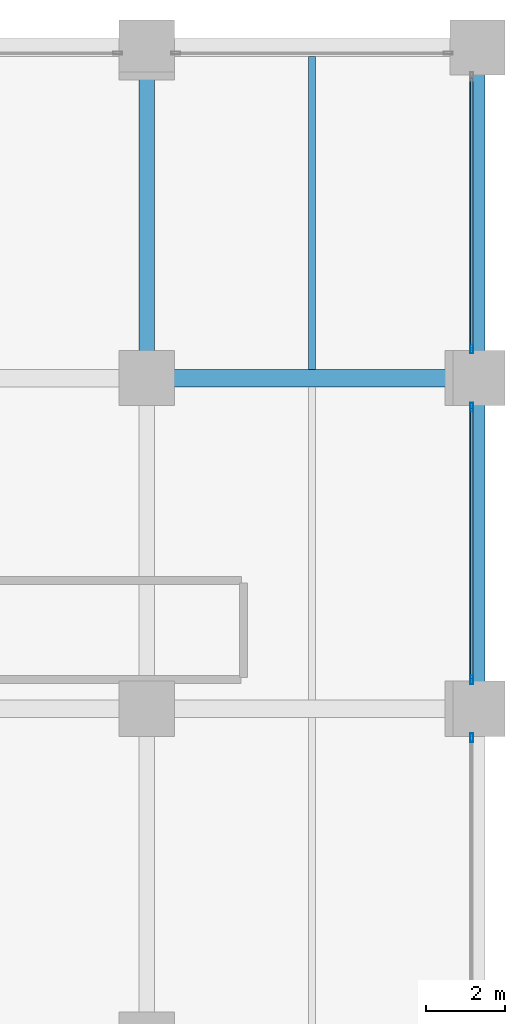
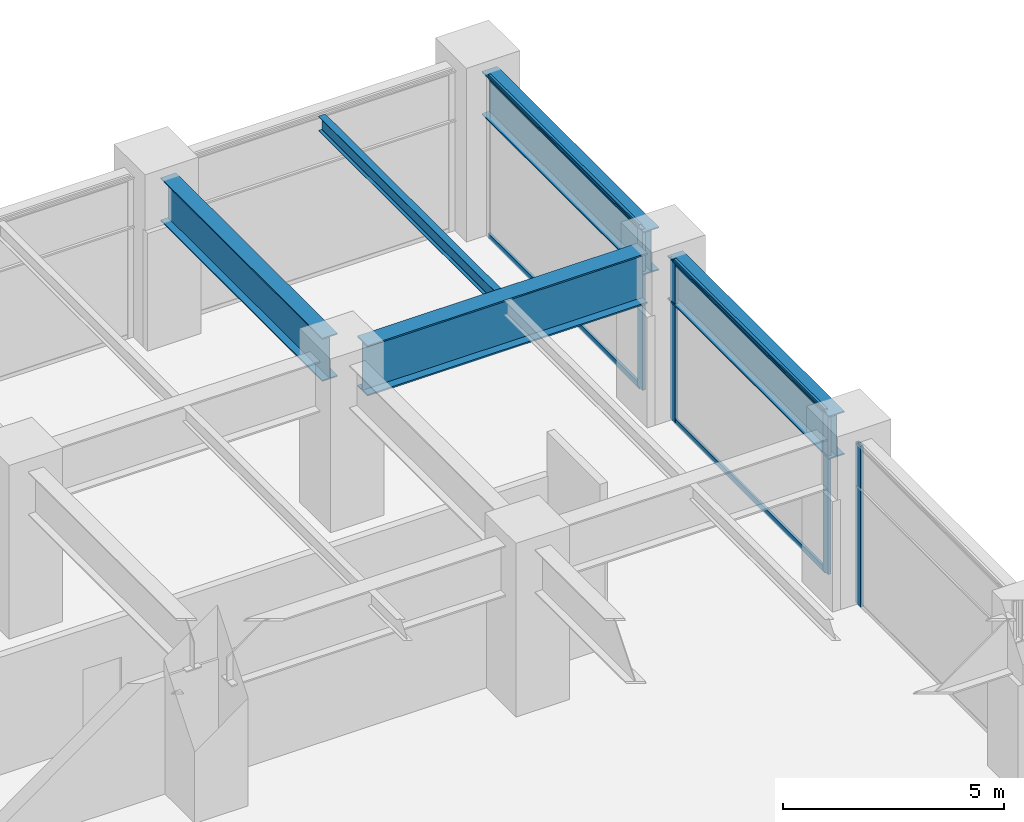
# One storey, part 15 of 24: 8 members, 5 beams, 3 elements without a shape of their own.
"""IFC4 building model written with IfcOpenShell, lengths in metres."""

from ifc_helpers import new_model, si_unit, direction, frame, origin, origin_2d, place, context, subcontext, project, spatial, hollow_rectangle, i_section, extrude, material, layer, layer_set, material_profile, profile_set, type_object, element, aggregate, save


model = new_model("IFC4")

# Units and contexts
model_context = context("Model", 3, precision=1e-05, world=origin(), true_north=direction((0.0, 1.0)))
body_context = subcontext(model_context, "Body", "Model", "MODEL_VIEW")
ifc_project = project(units=[si_unit("LENGTHUNIT", "METRE"), si_unit("AREAUNIT", "SQUARE_METRE"), si_unit("VOLUMEUNIT", "CUBIC_METRE"), si_unit("PLANEANGLEUNIT", "RADIAN"), si_unit("MASSUNIT", "GRAM", prefix="KILO")], contexts=[model_context])

# Site, building, storey
site_placement = place(None, origin())
site = spatial("IfcSite", under=ifc_project, at=site_placement, CompositionType="ELEMENT")
building_placement = place(site_placement, origin())
building = spatial("IfcBuilding", under=site, at=building_placement, Name="Nerrivon Quay Data Exchange", CompositionType="ELEMENT")
storey_placement = place(building_placement, frame((0.0, 0.0, 15.0)))
storey = spatial("IfcBuildingStorey", under=building, at=storey_placement, Name="L03", CompositionType="ELEMENT", Elevation=15.0)

# Beams
ifc_material_1 = material(Name="Steel Grade 350", Category="steel")
ifc_material_profile_1 = material_profile(ifc_material_1, i_section(OverallWidth=0.177978515625, OverallDepth=0.406005859375, WebThickness=0.0078125, FlangeThickness=0.0126953125, FilletRadius=0.011474609375, at=origin_2d()), Name="410UB59.7")
ifc_profile_set_1 = profile_set([ifc_material_profile_1], Name="Steel Grade 350")
beam_type_1 = type_object("IfcBeamType", Name="BM-J1-410UB60", PredefinedType="JOIST", material=ifc_profile_set_1)
beam_1_placement = place(storey_placement, frame((54.60009765625, 42.22509765625, 4.2470703125), z_axis=(0.0, 1.0, 0.0), x_axis=(-1.0, 0.0, 0.0)))
element("IfcBeam", 1, at=beam_1_placement, inside=storey, type_object=beam_type_1, Name="L03 Secondary Joist X=54.6 (42.0..50.4)", PredefinedType="JOIST", context=body_context, shape_type="SweptSolid", body=[
    extrude(i_section(OverallWidth=0.177978515625, OverallDepth=0.406005859375, WebThickness=0.0078125, FlangeThickness=0.0126953125, FilletRadius=0.011474609375, at=origin_2d()), origin(), (0.0, 0.0, 1.0), 7.949951171875),
])
ifc_material_profile_2 = material_profile(ifc_material_1, i_section(OverallWidth=0.449951171875, OverallDepth=1.39990234375, WebThickness=0.02001953125, FlangeThickness=0.0400390625, at=origin_2d()), Name="1400WG455")
ifc_profile_set_2 = profile_set([ifc_material_profile_2], Name="Steel Grade 350")
beam_type_2 = type_object("IfcBeamType", Name="BM-TG1-1400WG", PredefinedType="USERDEFINED", material=ifc_profile_set_2)
beam_2_placement = place(storey_placement, frame((50.93994140625, 42.0, 3.75), z_axis=(1.0, 0.0, 0.0), x_axis=(0.0, 1.0, 0.0)))
element("IfcBeam", 2, at=beam_2_placement, inside=storey, type_object=beam_type_2, Name="L03 EW Girder Y=42.0 (50.4..58.8)", ObjectType="TRANSFER", PredefinedType="USERDEFINED", context=body_context, shape_type="SweptSolid", body=[
    extrude(i_section(OverallWidth=0.449951171875, OverallDepth=1.39990234375, WebThickness=0.02001953125, FlangeThickness=0.0400390625, at=origin_2d()), origin(), (0.0, 0.0, 1.0), 7.320068359375),
])
ifc_material_profile_3 = material_profile(ifc_material_1, i_section(OverallWidth=0.39990234375, OverallDepth=1.199951171875, WebThickness=0.01611328125, FlangeThickness=0.031982421875, at=origin_2d()), Name="1200WB342")
ifc_profile_set_3 = profile_set([ifc_material_profile_3], Name="Steel Grade 350")
beam_type_3 = type_object("IfcBeamType", Name="BM-TG2-1200WB", PredefinedType="USERDEFINED", material=ifc_profile_set_3)
for number, where, z_axis, x_axis, name in (
    (3, (50.39990234375, 42.5400390625, 3.85009765625), (0.0, 1.0, 0.0), (-1.0, 0.0, 0.0), "L03 NS Girder X=50.4 (42.0..50.4)"),
    (4, (58.800048828125, 34.139892578125, 3.85009765625), (0.0, 1.0, 0.0), (-1.0, 0.0, 0.0), "L03 NS Girder X=58.8 (33.6..42.0)"),
    (5, (58.800048828125, 42.5400390625, 3.85009765625), (0.0, 1.0, 0.0), (-1.0, 0.0, 0.0), "L03 NS Girder X=58.8 (42.0..50.4)"),
):
    element("IfcBeam", number, at=place(storey_placement, frame(where, z_axis=z_axis, x_axis=x_axis)), inside=storey, type_object=beam_type_3, Name=name, ObjectType="TRANSFER", PredefinedType="USERDEFINED", context=body_context, shape_type="SweptSolid", body=[
        extrude(i_section(OverallWidth=0.39990234375, OverallDepth=1.199951171875, WebThickness=0.01611328125, FlangeThickness=0.031982421875, at=origin_2d()), origin(), (0.0, 0.0, 1.0), 7.320068359375),
    ])

# Curtain wall, member
ifc_material_2 = material(Name="Anodised aluminium 6063-T6", Category="aluminium")
ifc_layer = layer(ifc_material_2, 0.239990234375)
ifc_layer_set = layer_set([ifc_layer], Name="Anodised aluminium 6063-T6")
curtain_wall_type = type_object("IfcCurtainWallType", Name="CW-SYS-03", PredefinedType="NOTDEFINED", material=ifc_layer_set)
curtain_wall_1_placement = place(storey_placement, origin())
curtain_wall_1 = element("IfcCurtainWall", 6, at=curtain_wall_1_placement, inside=storey, type_object=curtain_wall_type, Name="L03 Unitised Curtain Wall 14", PredefinedType="NOTDEFINED")
ifc_material_profile_4 = material_profile(ifc_material_2, hollow_rectangle(XDim=0.074951171875, YDim=0.219970703125, WallThickness=0.00390625, at=origin_2d()), Name="ALU-MULL-220x75")
ifc_profile_set_4 = profile_set([ifc_material_profile_4], Name="Anodised aluminium 6063-T6")
member_type_1 = type_object("IfcMemberType", Name="CWM-220x75", PredefinedType="MULLION", material=ifc_profile_set_4)
member_1_placement = place(storey_placement, frame((58.659912109375, 42.737548828125, 0.0), z_axis=(0.0, 0.0, 1.0), x_axis=(1.0, 0.0, 0.0)))
member_1 = element("IfcMember", 7, at=member_1_placement, type_object=member_type_1, Name="CW03 mullion 2", PredefinedType="MULLION", context=body_context, shape_type="SweptSolid", body=[
    extrude(hollow_rectangle(XDim=0.074951171875, YDim=0.219970703125, WallThickness=0.00390625, at=origin_2d()), origin(), (0.0, 0.0, 1.0), 4.449951171875),
])

# Curtain wall, members
curtain_wall_2_placement = place(storey_placement, origin())
curtain_wall_2 = element("IfcCurtainWall", 8, at=curtain_wall_2_placement, inside=storey, type_object=curtain_wall_type, Name="L03 Unitised Curtain Wall 15", PredefinedType="NOTDEFINED")
member_2_placement = place(storey_placement, frame((58.659912109375, 41.262451171875, 0.0), z_axis=(0.0, 0.0, 1.0), x_axis=(1.0, 0.0, 0.0)))
member_2 = element("IfcMember", 9, at=member_2_placement, type_object=member_type_1, Name="CW03 mullion 1", PredefinedType="MULLION", context=body_context, shape_type="SweptSolid", body=[
    extrude(hollow_rectangle(XDim=0.074951171875, YDim=0.219970703125, WallThickness=0.00390625, at=origin_2d()), origin(), (0.0, 0.0, 1.0), 4.449951171875),
])
member_3_placement = place(storey_placement, frame((58.659912109375, 34.33740234375, 0.0), z_axis=(0.0, 0.0, 1.0), x_axis=(1.0, 0.0, 0.0)))
member_3 = element("IfcMember", 10, at=member_3_placement, type_object=member_type_1, Name="CW03 mullion 2", PredefinedType="MULLION", context=body_context, shape_type="SweptSolid", body=[
    extrude(hollow_rectangle(XDim=0.074951171875, YDim=0.219970703125, WallThickness=0.00390625, at=origin_2d()), origin(), (0.0, 0.0, 1.0), 4.449951171875),
])

# Curtain wall, member
curtain_wall_3_placement = place(storey_placement, origin())
curtain_wall_3 = element("IfcCurtainWall", 11, at=curtain_wall_3_placement, inside=storey, type_object=curtain_wall_type, Name="L03 Unitised Curtain Wall 16", PredefinedType="NOTDEFINED")
member_4_placement = place(storey_placement, frame((58.659912109375, 32.862548828125, 0.0), z_axis=(0.0, 0.0, 1.0), x_axis=(1.0, 0.0, 0.0)))
member_4 = element("IfcMember", 12, at=member_4_placement, type_object=member_type_1, Name="CW03 mullion 1", PredefinedType="MULLION", context=body_context, shape_type="SweptSolid", body=[
    extrude(hollow_rectangle(XDim=0.074951171875, YDim=0.219970703125, WallThickness=0.00390625, at=origin_2d()), origin(), (0.0, 0.0, 1.0), 4.449951171875),
])
aggregate(curtain_wall_3, [member_4])

# Member
ifc_material_profile_5 = material_profile(ifc_material_2, hollow_rectangle(XDim=0.06494140625, YDim=0.14990234375, WallThickness=0.00341796875, at=origin_2d()), Name="ALU-TRAN-150x65")
ifc_profile_set_5 = profile_set([ifc_material_profile_5], Name="Anodised aluminium 6063-T6")
member_type_2 = type_object("IfcMemberType", Name="CWT-150x65", PredefinedType="USERDEFINED", material=ifc_profile_set_5)
member_5_placement = place(storey_placement, frame((58.659912109375, 49.625, 0.032470703125), z_axis=(0.0, -1.0, 0.0), x_axis=(1.0, 0.0, 0.0)))
member_5 = element("IfcMember", 13, at=member_5_placement, type_object=member_type_2, Name="CW03 transom 1.1", ObjectType="TRANSOM", PredefinedType="USERDEFINED", context=body_context, shape_type="SweptSolid", body=[
    extrude(hollow_rectangle(XDim=0.06494140625, YDim=0.14990234375, WallThickness=0.00341796875, at=origin_2d()), origin(), (0.0, 0.0, 1.0), 6.85009765625),
])

member_6_placement = place(storey_placement, frame((58.659912109375, 49.625, 4.41748046875), z_axis=(0.0, -1.0, 0.0), x_axis=(1.0, 0.0, 0.0)))
member_6 = element("IfcMember", 14, at=member_6_placement, type_object=member_type_2, Name="CW03 transom 1.2", ObjectType="TRANSOM", PredefinedType="USERDEFINED", context=body_context, shape_type="SweptSolid", body=[
    extrude(hollow_rectangle(XDim=0.06494140625, YDim=0.14990234375, WallThickness=0.00341796875, at=origin_2d()), origin(), (0.0, 0.0, 1.0), 6.85009765625),
])

aggregate(curtain_wall_1, [member_1, member_5, member_6])

member_7_placement = place(storey_placement, frame((58.659912109375, 41.22509765625, 0.032470703125), z_axis=(0.0, -1.0, 0.0), x_axis=(1.0, 0.0, 0.0)))
member_7 = element("IfcMember", 15, at=member_7_placement, type_object=member_type_2, Name="CW03 transom 1.1", ObjectType="TRANSOM", PredefinedType="USERDEFINED", context=body_context, shape_type="SweptSolid", body=[
    extrude(hollow_rectangle(XDim=0.06494140625, YDim=0.14990234375, WallThickness=0.00341796875, at=origin_2d()), origin(), (0.0, 0.0, 1.0), 6.85009765625),
])

member_8_placement = place(storey_placement, frame((58.659912109375, 41.22509765625, 4.41748046875), z_axis=(0.0, -1.0, 0.0), x_axis=(1.0, 0.0, 0.0)))
member_8 = element("IfcMember", 16, at=member_8_placement, type_object=member_type_2, Name="CW03 transom 1.2", ObjectType="TRANSOM", PredefinedType="USERDEFINED", context=body_context, shape_type="SweptSolid", body=[
    extrude(hollow_rectangle(XDim=0.06494140625, YDim=0.14990234375, WallThickness=0.00341796875, at=origin_2d()), origin(), (0.0, 0.0, 1.0), 6.85009765625),
])

aggregate(curtain_wall_2, [member_2, member_3, member_7, member_8])

save(model, "model.ifc")
